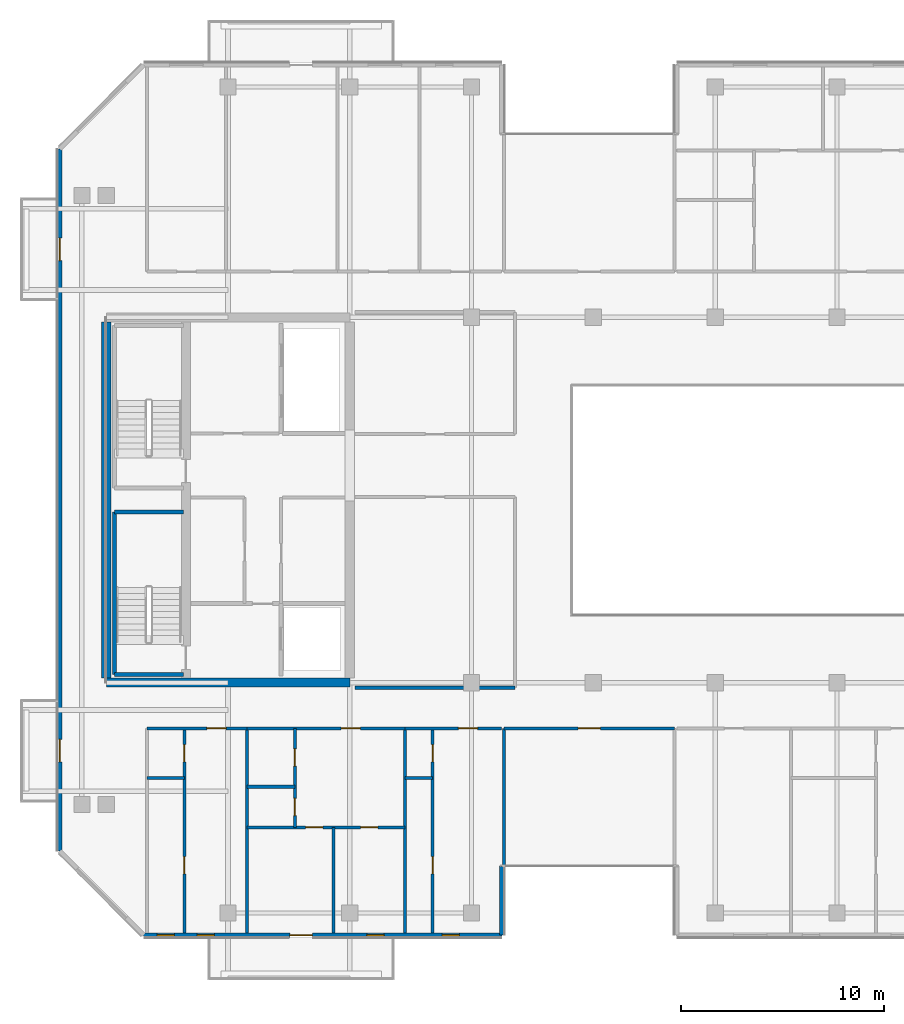
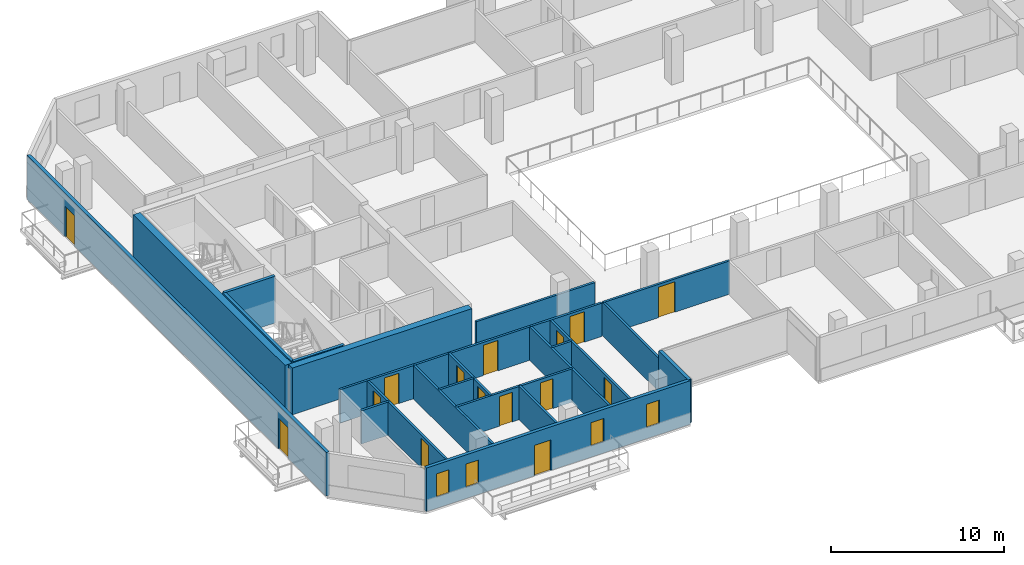
# One storey, part 10 of 20: 24 walls, 15 doors, 4 windows, 19 openings.
"""IFC4 building model written with IfcOpenShell, lengths in metres."""

from ifc_helpers import new_model, si_unit, direction, frame, frame_2d, origin, place, context, subcontext, project, spatial, rectangle, extrude, material, layer, layer_set, type_object, element, fill, save


model = new_model("IFC4")

# Units and contexts
model_context = context("Model", 3, precision=1e-05, world=origin(), true_north=direction((0.0, 1.0)))
body_context = subcontext(model_context, "Body", "Model", "MODEL_VIEW")
ifc_project = project(units=[si_unit("LENGTHUNIT", "METRE"), si_unit("AREAUNIT", "SQUARE_METRE"), si_unit("VOLUMEUNIT", "CUBIC_METRE"), si_unit("PLANEANGLEUNIT", "RADIAN"), si_unit("MASSUNIT", "GRAM", prefix="KILO")], contexts=[model_context])

# Site, building, storey
site_placement = place(None, origin())
site = spatial("IfcSite", under=ifc_project, at=site_placement, CompositionType="ELEMENT")
building_placement = place(site_placement, origin())
building = spatial("IfcBuilding", under=site, at=building_placement, Name="Tanjung Sevakor Pilgrim Tower", CompositionType="ELEMENT")
storey_placement = place(building_placement, frame((0.0, 0.0, 201.6298828125)))
storey = spatial("IfcBuildingStorey", under=building, at=storey_placement, Name="L56", CompositionType="ELEMENT", Elevation=201.6298828125)

# Walls
ifc_material_1 = material(Name="Concrete C60/75", Category="concrete")
ifc_layer_1 = layer(ifc_material_1, 0.449951171875)
ifc_layer_set_1 = layer_set([ifc_layer_1], Name="WALL-CW-450")
wall_type_1 = type_object("IfcWallType", Name="WALL-CW-450", PredefinedType="SHEAR", material=ifc_layer_set_1)
wall_1_placement = place(storey_placement, frame((24.0, 24.60009765625, 0.0), z_axis=(0.0, 0.0, 1.0), x_axis=(1.0, 0.0, 0.0)))
element("IfcWall", 1, at=wall_1_placement, inside=storey, type_object=wall_type_1, Name="L56 W Core South Shear Wall", PredefinedType="SHEAR", context=body_context, shape_type="SweptSolid", body=[
    extrude(rectangle(XDim=12.0, YDim=0.449951171875, at=frame_2d((6.0, 0.0))), origin(), (0.0, 0.0, 1.0), 3.300048828125),
])
wall_2_placement = place(storey_placement, frame((24.0, 24.824951171875, 0.0), z_axis=(0.0, 0.0, 1.0), x_axis=(0.0, 1.0, 0.0)))
element("IfcWall", 2, at=wall_2_placement, inside=storey, type_object=wall_type_1, Name="L56 W Core Outer Shear Wall", PredefinedType="SHEAR", context=body_context, shape_type="SweptSolid", body=[
    extrude(rectangle(XDim=17.550048828125, YDim=0.449951171875, at=frame_2d((8.77490234375, 0.0))), origin(), (0.0, 0.0, 1.0), 3.300048828125),
])
ifc_material_2 = material(Name="Concrete C40/50", Category="concrete")
ifc_layer_2 = layer(ifc_material_2, 0.14990234375)
ifc_layer_set_2 = layer_set([ifc_layer_2], Name="WT-COMP-150")
wall_type_2 = type_object("IfcWallType", Name="WT-COMP-150", PredefinedType="SOLIDWALL", material=ifc_layer_set_2)
wall_3_placement = place(storey_placement, frame((36.2451171875, 24.35009765625, 0.0), z_axis=(0.0, 0.0, 1.0), x_axis=(1.0, 0.0, 0.0)))
element("IfcWall", 3, at=wall_3_placement, inside=storey, type_object=wall_type_2, Name="L56 Partition IW-L56-019", PredefinedType="SOLIDWALL", context=body_context, shape_type="SweptSolid", body=[
    extrude(rectangle(XDim=7.90478515625, YDim=0.14990234375, at=frame_2d((3.952392578125, 0.0))), origin(), (0.0, 0.0, 1.0), 2.35009765625),
])

# Wall, opening, door
wall_4_placement = place(storey_placement, frame((43.60009765625, 22.35009765625, 0.0), z_axis=(0.0, 0.0, 1.0), x_axis=(1.0, 0.0, 0.0)))
wall_4 = element("IfcWall", 4, at=wall_4_placement, inside=storey, type_object=wall_type_2, Name="L56 Partition IW-L56-031", PredefinedType="SOLIDWALL", context=body_context, shape_type="SweptSolid", body=[
    extrude(rectangle(XDim=8.39990234375, YDim=0.14990234375, at=frame_2d((4.199951171875, 0.0))), origin(), (0.0, 0.0, 1.0), 2.35009765625),
])
opening_1_placement = place(wall_4_placement, frame((3.64990234375, 0.0, 0.0)))
opening_1 = element("IfcOpeningElement", 5, at=opening_1_placement, cuts=wall_4, Name="Opening ID-RM2", PredefinedType="OPENING", context=body_context, shape_type="SweptSolid", body=[
    extrude(rectangle(XDim=1.10009765625, YDim=2.14990234375, at=frame_2d((0.550048828125, 1.074951171875))), frame((0.0, 0.0849609375, 0.0), z_axis=(0.0, -1.0, 0.0), x_axis=(1.0, 0.0, 0.0)), (0.0, 0.0, 1.0), 0.169921875),
])
ifc_material_3 = material(Name="Hardwood Timber", Category="wood")
door_type_1 = type_object("IfcDoorType", Name="DT-INT-1100", OperationType="NOTDEFINED", PredefinedType="DOOR", material=ifc_material_3)
door_1_placement = place(opening_1_placement, origin())
door_1 = element("IfcDoor", 6, at=door_1_placement, inside=storey, type_object=door_type_1, Name="L56 South Cleft Communal Lounge Door", OperationType="SINGLE_SWING_LEFT", OverallHeight=2.14990234375, OverallWidth=1.10009765625, PredefinedType="DOOR", context=body_context, shape_type="SweptSolid", body=[
    extrude(rectangle(XDim=1.10009765625, YDim=2.14990234375, at=frame_2d((0.550048828125, 1.074951171875))), frame((0.0, 0.02490234375, 0.0), z_axis=(0.0, -1.0, 0.0), x_axis=(1.0, 0.0, 0.0)), (0.0, 0.0, 1.0), 0.050048828125),
])
fill(opening_1, door_1)

# Walls
for number, where, z_axis, x_axis, name in (
    (7, (43.60009765625, 12.27001953125, 0.0), (0.0, 0.0, 1.0), (0.0, 1.0, 0.0), "L56 Partition IW-L56-032"),
    (8, (30.94384765625, 12.27001953125, 0.0), (0.0, 0.0, 1.0), (0.0, 1.0, 0.0), "L56 Partition IW-L56-038"),
):
    element("IfcWall", number, at=place(storey_placement, frame(where, z_axis=z_axis, x_axis=x_axis)), inside=storey, type_object=wall_type_2, Name=name, PredefinedType="SOLIDWALL", context=body_context, shape_type="SweptSolid", body=[
        extrude(rectangle(XDim=10.080078125, YDim=0.14990234375, at=frame_2d((5.0400390625, 0.0))), origin(), (0.0, 0.0, 1.0), 2.35009765625),
    ])

# Wall, opening, door
wall_5_placement = place(storey_placement, frame((26.0, 22.35009765625, 0.0), z_axis=(0.0, 0.0, 1.0), x_axis=(1.0, 0.0, 0.0)))
wall_5 = element("IfcWall", 9, at=wall_5_placement, inside=storey, type_object=wall_type_2, Name="L56 Partition IW-L56-041", PredefinedType="SOLIDWALL", context=body_context, shape_type="SweptSolid", body=[
    extrude(rectangle(XDim=4.94384765625, YDim=0.14990234375, at=frame_2d((2.471923828125, 0.0))), origin(), (0.0, 0.0, 1.0), 2.35009765625),
])
opening_2_placement = place(wall_5_placement, frame((2.9619140625, 0.0, 0.0)))
opening_2 = element("IfcOpeningElement", 10, at=opening_2_placement, cuts=wall_5, Name="Opening ID-FD2", PredefinedType="OPENING", context=body_context, shape_type="SweptSolid", body=[
    extrude(rectangle(XDim=0.949951171875, YDim=2.14990234375, at=frame_2d((0.47509765625, 1.074951171875))), frame((0.0, 0.0849609375, 0.0), z_axis=(0.0, -1.0, 0.0), x_axis=(1.0, 0.0, 0.0)), (0.0, 0.0, 1.0), 0.169921875),
])
ifc_material_4 = material(Name="Fire-Rated Timber", Category="wood")
door_type_2 = type_object("IfcDoorType", Name="DT-FIRE-950", OperationType="NOTDEFINED", PredefinedType="DOOR", material=ifc_material_4)
door_2_placement = place(opening_2_placement, origin())
door_2 = element("IfcDoor", 11, at=door_2_placement, inside=storey, type_object=door_type_2, Name="Hostel Quad Entrance", OperationType="SINGLE_SWING_LEFT", OverallHeight=2.14990234375, OverallWidth=0.949951171875, PredefinedType="DOOR", context=body_context, shape_type="SweptSolid", body=[
    extrude(rectangle(XDim=0.949951171875, YDim=2.14990234375, at=frame_2d((0.47509765625, 1.074951171875))), frame((0.0, 0.02490234375, 0.0), z_axis=(0.0, -1.0, 0.0), x_axis=(1.0, 0.0, 0.0)), (0.0, 0.0, 1.0), 0.050048828125),
])
fill(opening_2, door_2)

# Wall
wall_6_placement = place(storey_placement, frame((38.712646484375, 12.27001953125, 0.0), z_axis=(0.0, 0.0, 1.0), x_axis=(0.0, 1.0, 0.0)))
element("IfcWall", 12, at=wall_6_placement, inside=storey, type_object=wall_type_2, Name="L56 Partition IW-L56-042", PredefinedType="SOLIDWALL", context=body_context, shape_type="SweptSolid", body=[
    extrude(rectangle(XDim=10.080078125, YDim=0.14990234375, at=frame_2d((5.0400390625, 0.0))), origin(), (0.0, 0.0, 1.0), 2.35009765625),
])

# Wall, opening, door
wall_7_placement = place(storey_placement, frame((30.94384765625, 22.35009765625, 0.0), z_axis=(0.0, 0.0, 1.0), x_axis=(1.0, 0.0, 0.0)))
wall_7 = element("IfcWall", 13, at=wall_7_placement, inside=storey, type_object=wall_type_2, Name="L56 Partition IW-L56-047", PredefinedType="SOLIDWALL", context=body_context, shape_type="SweptSolid", body=[
    extrude(rectangle(XDim=7.768798828125, YDim=0.14990234375, at=frame_2d((3.88427734375, 0.0))), origin(), (0.0, 0.0, 1.0), 2.35009765625),
])
opening_3_placement = place(wall_7_placement, frame((4.62451171875, 0.0, 0.0)))
opening_3 = element("IfcOpeningElement", 14, at=opening_3_placement, cuts=wall_7, Name="Opening ID-FD2", PredefinedType="OPENING", context=body_context, shape_type="SweptSolid", body=[
    extrude(rectangle(XDim=0.949951171875, YDim=2.14990234375, at=frame_2d((0.47509765625, 1.074951171875))), frame((0.0, 0.0849609375, 0.0), z_axis=(0.0, -1.0, 0.0), x_axis=(1.0, 0.0, 0.0)), (0.0, 0.0, 1.0), 0.169921875),
])
door_3_placement = place(opening_3_placement, origin())
door_3 = element("IfcDoor", 15, at=door_3_placement, inside=storey, type_object=door_type_2, Name="Suite Entrance", OperationType="SINGLE_SWING_RIGHT", OverallHeight=2.14990234375, OverallWidth=0.949951171875, PredefinedType="DOOR", context=body_context, shape_type="SweptSolid", body=[
    extrude(rectangle(XDim=0.949951171875, YDim=2.14990234375, at=frame_2d((0.47509765625, 1.074951171875))), frame((0.0, 0.02490234375, 0.0), z_axis=(0.0, -1.0, 0.0), x_axis=(1.0, 0.0, 0.0)), (0.0, 0.0, 1.0), 0.050048828125),
])
fill(opening_3, door_3)

wall_8_placement = place(storey_placement, frame((38.712646484375, 22.35009765625, 0.0), z_axis=(0.0, 0.0, 1.0), x_axis=(1.0, 0.0, 0.0)))
wall_8 = element("IfcWall", 16, at=wall_8_placement, inside=storey, type_object=wall_type_2, Name="L56 Partition IW-L56-050", PredefinedType="SOLIDWALL", context=body_context, shape_type="SweptSolid", body=[
    extrude(rectangle(XDim=4.767333984375, YDim=0.14990234375, at=frame_2d((2.3837890625, 0.0))), origin(), (0.0, 0.0, 1.0), 2.35009765625),
])
opening_4_placement = place(wall_8_placement, frame((2.63232421875, 0.0, 0.0)))
opening_4 = element("IfcOpeningElement", 17, at=opening_4_placement, cuts=wall_8, Name="Opening ID-FD2", PredefinedType="OPENING", context=body_context, shape_type="SweptSolid", body=[
    extrude(rectangle(XDim=0.949951171875, YDim=2.14990234375, at=frame_2d((0.47509765625, 1.074951171875))), frame((0.0, 0.0849609375, 0.0), z_axis=(0.0, -1.0, 0.0), x_axis=(1.0, 0.0, 0.0)), (0.0, 0.0, 1.0), 0.169921875),
])
door_4_placement = place(opening_4_placement, origin())
door_4 = element("IfcDoor", 18, at=door_4_placement, inside=storey, type_object=door_type_2, Name="Hotel Guestroom Entrance", OperationType="SINGLE_SWING_LEFT", OverallHeight=2.14990234375, OverallWidth=0.949951171875, PredefinedType="DOOR", context=body_context, shape_type="SweptSolid", body=[
    extrude(rectangle(XDim=0.949951171875, YDim=2.14990234375, at=frame_2d((0.47509765625, 1.074951171875))), frame((0.0, 0.02490234375, 0.0), z_axis=(0.0, -1.0, 0.0), x_axis=(1.0, 0.0, 0.0)), (0.0, 0.0, 1.0), 0.050048828125),
])
fill(opening_4, door_4)

# Wall, openings, door, windows
ifc_material_5 = material(Name="Precast concrete C45/55", Category="concrete")
ifc_layer_3 = layer(ifc_material_5, 0.219970703125)
ifc_layer_set_3 = layer_set([ifc_layer_3], Name="WT-EW-STN4")
wall_type_3 = type_object("IfcWallType", Name="WT-EW-STN4", PredefinedType="SOLIDWALL", material=ifc_layer_set_3)
wall_9_placement = place(storey_placement, frame((25.845703125, 12.159912109375, 0.0), z_axis=(0.0, 0.0, 1.0), x_axis=(1.0, 0.0, 0.0)))
wall_9 = element("IfcWall", 19, at=wall_9_placement, inside=storey, type_object=wall_type_3, Name="L56 MAIN Exterior Wall 1", PredefinedType="SOLIDWALL", context=body_context, shape_type="SweptSolid", body=[
    extrude(rectangle(XDim=17.644287109375, YDim=0.219970703125, at=frame_2d((8.822265625, 0.0))), origin(), (0.0, 0.0, 1.0), 3.080078125),
])
opening_5_placement = place(wall_9_placement, frame((7.204345703125, 0.0, 0.0)))
opening_5 = element("IfcOpeningElement", 20, at=opening_5_placement, cuts=wall_9, Name="Opening ED-BAL-1100", PredefinedType="OPENING", context=body_context, shape_type="SweptSolid", body=[
    extrude(rectangle(XDim=1.10009765625, YDim=2.14990234375, at=frame_2d((0.550048828125, 1.074951171875))), frame((0.0, 0.119873046875, 0.0), z_axis=(0.0, -1.0, 0.0), x_axis=(1.0, 0.0, 0.0)), (0.0, 0.0, 1.0), 0.239990234375),
])
opening_6_placement = place(wall_9_placement, frame((0.664306640625, 0.0, 0.780029296875)))
opening_6 = element("IfcOpeningElement", 21, at=opening_6_placement, cuts=wall_9, Name="Opening WN-SLM", PredefinedType="OPENING", context=body_context, shape_type="SweptSolid", body=[
    extrude(rectangle(XDim=0.85009765625, YDim=1.64990234375, at=frame_2d((0.425048828125, 0.824951171875))), frame((0.0, 0.119873046875, 0.0), z_axis=(0.0, -1.0, 0.0), x_axis=(1.0, 0.0, 0.0)), (0.0, 0.0, 1.0), 0.239990234375),
])
opening_7_placement = place(wall_9_placement, frame((2.63623046875, 0.0, 0.780029296875)))
opening_7 = element("IfcOpeningElement", 22, at=opening_7_placement, cuts=wall_9, Name="Opening WN-SLM", PredefinedType="OPENING", context=body_context, shape_type="SweptSolid", body=[
    extrude(rectangle(XDim=0.85009765625, YDim=1.64990234375, at=frame_2d((0.425048828125, 0.824951171875))), frame((0.0, 0.119873046875, 0.0), z_axis=(0.0, -1.0, 0.0), x_axis=(1.0, 0.0, 0.0)), (0.0, 0.0, 1.0), 0.239990234375),
])
opening_8_placement = place(wall_9_placement, frame((10.99267578125, 0.0, 0.780029296875)))
opening_8 = element("IfcOpeningElement", 23, at=opening_8_placement, cuts=wall_9, Name="Opening WN-SLM", PredefinedType="OPENING", context=body_context, shape_type="SweptSolid", body=[
    extrude(rectangle(XDim=0.85009765625, YDim=1.64990234375, at=frame_2d((0.425048828125, 0.824951171875))), frame((0.0, 0.119873046875, 0.0), z_axis=(0.0, -1.0, 0.0), x_axis=(1.0, 0.0, 0.0)), (0.0, 0.0, 1.0), 0.239990234375),
])
opening_9_placement = place(wall_9_placement, frame((14.699462890625, 0.0, 0.780029296875)))
opening_9 = element("IfcOpeningElement", 24, at=opening_9_placement, cuts=wall_9, Name="Opening WN-SLM", PredefinedType="OPENING", context=body_context, shape_type="SweptSolid", body=[
    extrude(rectangle(XDim=0.85009765625, YDim=1.64990234375, at=frame_2d((0.425048828125, 0.824951171875))), frame((0.0, 0.119873046875, 0.0), z_axis=(0.0, -1.0, 0.0), x_axis=(1.0, 0.0, 0.0)), (0.0, 0.0, 1.0), 0.239990234375),
])
ifc_material_6 = material(Name="Anodised Aluminium and Laminated Glass", Category="aluminium")
door_type_3 = type_object("IfcDoorType", Name="DTYP-ED-BAL-1100", OperationType="NOTDEFINED", PredefinedType="DOOR", material=ifc_material_6)
door_5_placement = place(opening_5_placement, frame((1.10009765625, 0.0, 0.0), z_axis=(0.0, 0.0, 1.0), x_axis=(-1.0, 0.0, 0.0)))
door_5 = element("IfcDoor", 25, at=door_5_placement, inside=storey, type_object=door_type_3, Name="L56 Balcony Door MAIN-S1", OperationType="SINGLE_SWING_LEFT", OverallHeight=2.14990234375, OverallWidth=1.10009765625, PredefinedType="DOOR", context=body_context, shape_type="SweptSolid", body=[
    extrude(rectangle(XDim=1.10009765625, YDim=2.14990234375, at=frame_2d((0.550048828125, 1.074951171875))), frame((0.0, 0.02490234375, 0.0), z_axis=(0.0, -1.0, 0.0), x_axis=(1.0, 0.0, 0.0)), (0.0, 0.0, 1.0), 0.050048828125),
])
fill(opening_5, door_5)
ifc_material_7 = material(Name="Thermally Broken Aluminium and Low-E Glass", Category="aluminium")
window_type = type_object("IfcWindowType", Name="WTYP-WN-SLM", PartitioningType="SINGLE_PANEL", PredefinedType="WINDOW", material=ifc_material_7)
window_1_placement = place(opening_6_placement, origin())
window_1 = element("IfcWindow", 26, at=window_1_placement, inside=storey, type_object=window_type, Name="L56 Facade Window 01", OverallHeight=1.64990234375, OverallWidth=0.85009765625, PartitioningType="SINGLE_PANEL", PredefinedType="WINDOW", context=body_context, shape_type="SweptSolid", body=[
    extrude(rectangle(XDim=0.85009765625, YDim=1.64990234375, at=frame_2d((0.425048828125, 0.824951171875))), frame((0.0, 0.030029296875, 0.0), z_axis=(0.0, -1.0, 0.0), x_axis=(1.0, 0.0, 0.0)), (0.0, 0.0, 1.0), 0.06005859375),
])
fill(opening_6, window_1)
window_2_placement = place(opening_7_placement, origin())
window_2 = element("IfcWindow", 27, at=window_2_placement, inside=storey, type_object=window_type, Name="L56 Facade Window 02", OverallHeight=1.64990234375, OverallWidth=0.85009765625, PartitioningType="SINGLE_PANEL", PredefinedType="WINDOW", context=body_context, shape_type="SweptSolid", body=[
    extrude(rectangle(XDim=0.85009765625, YDim=1.64990234375, at=frame_2d((0.425048828125, 0.824951171875))), frame((0.0, 0.030029296875, 0.0), z_axis=(0.0, -1.0, 0.0), x_axis=(1.0, 0.0, 0.0)), (0.0, 0.0, 1.0), 0.06005859375),
])
fill(opening_7, window_2)
window_3_placement = place(opening_8_placement, origin())
window_3 = element("IfcWindow", 28, at=window_3_placement, inside=storey, type_object=window_type, Name="L56 Facade Window 03", OverallHeight=1.64990234375, OverallWidth=0.85009765625, PartitioningType="SINGLE_PANEL", PredefinedType="WINDOW", context=body_context, shape_type="SweptSolid", body=[
    extrude(rectangle(XDim=0.85009765625, YDim=1.64990234375, at=frame_2d((0.425048828125, 0.824951171875))), frame((0.0, 0.030029296875, 0.0), z_axis=(0.0, -1.0, 0.0), x_axis=(1.0, 0.0, 0.0)), (0.0, 0.0, 1.0), 0.06005859375),
])
fill(opening_8, window_3)
window_4_placement = place(opening_9_placement, origin())
window_4 = element("IfcWindow", 29, at=window_4_placement, inside=storey, type_object=window_type, Name="L56 Facade Window 04", OverallHeight=1.64990234375, OverallWidth=0.85009765625, PartitioningType="SINGLE_PANEL", PredefinedType="WINDOW", context=body_context, shape_type="SweptSolid", body=[
    extrude(rectangle(XDim=0.85009765625, YDim=1.64990234375, at=frame_2d((0.425048828125, 0.824951171875))), frame((0.0, 0.030029296875, 0.0), z_axis=(0.0, -1.0, 0.0), x_axis=(1.0, 0.0, 0.0)), (0.0, 0.0, 1.0), 0.06005859375),
])
fill(opening_9, window_4)

# Wall
wall_10_placement = place(storey_placement, frame((43.489990234375, 12.159912109375, 0.0), z_axis=(0.0, 0.0, 1.0), x_axis=(0.0, 1.0, 0.0)))
element("IfcWall", 30, at=wall_10_placement, inside=storey, type_object=wall_type_3, Name="L56 MAIN Exterior Wall 2", PredefinedType="SOLIDWALL", context=body_context, shape_type="SweptSolid", body=[
    extrude(rectangle(XDim=3.400146484375, YDim=0.219970703125, at=frame_2d((1.7001953125, 0.0))), origin(), (0.0, 0.0, 1.0), 3.080078125),
])

# Wall, openings, doors
wall_11_placement = place(storey_placement, frame((21.7099609375, 50.904296875, 0.0), z_axis=(0.0, 0.0, 1.0), x_axis=(0.0, -1.0, 0.0)))
wall_11 = element("IfcWall", 31, at=wall_11_placement, inside=storey, type_object=wall_type_3, Name="L56 MAIN Exterior Wall 15", PredefinedType="SOLIDWALL", context=body_context, shape_type="SweptSolid", body=[
    extrude(rectangle(XDim=34.608642578125, YDim=0.219970703125, at=frame_2d((17.30419921875, 0.0))), origin(), (0.0, 0.0, 1.0), 3.080078125),
])
opening_10_placement = place(wall_11_placement, frame((29.1044921875, 0.0, 0.0)))
opening_10 = element("IfcOpeningElement", 32, at=opening_10_placement, cuts=wall_11, Name="Opening ED-BAL-1100", PredefinedType="OPENING", context=body_context, shape_type="SweptSolid", body=[
    extrude(rectangle(XDim=1.10009765625, YDim=2.14990234375, at=frame_2d((0.550048828125, 1.074951171875))), frame((0.0, 0.119873046875, 0.0), z_axis=(0.0, -1.0, 0.0), x_axis=(1.0, 0.0, 0.0)), (0.0, 0.0, 1.0), 0.239990234375),
])
opening_11_placement = place(wall_11_placement, frame((4.404296875, 0.0, 0.0)))
opening_11 = element("IfcOpeningElement", 33, at=opening_11_placement, cuts=wall_11, Name="Opening ED-BAL-1100", PredefinedType="OPENING", context=body_context, shape_type="SweptSolid", body=[
    extrude(rectangle(XDim=1.10009765625, YDim=2.14990234375, at=frame_2d((0.550048828125, 1.074951171875))), frame((0.0, 0.119873046875, 0.0), z_axis=(0.0, -1.0, 0.0), x_axis=(1.0, 0.0, 0.0)), (0.0, 0.0, 1.0), 0.239990234375),
])
door_6_placement = place(opening_10_placement, frame((1.10009765625, 0.0, 0.0), z_axis=(0.0, 0.0, 1.0), x_axis=(-1.0, 0.0, 0.0)))
door_6 = element("IfcDoor", 34, at=door_6_placement, inside=storey, type_object=door_type_3, Name="L56 West Loggia Door MAIN-W1", OperationType="SINGLE_SWING_LEFT", OverallHeight=2.14990234375, OverallWidth=1.10009765625, PredefinedType="DOOR", context=body_context, shape_type="SweptSolid", body=[
    extrude(rectangle(XDim=1.10009765625, YDim=2.14990234375, at=frame_2d((0.550048828125, 1.074951171875))), frame((0.0, 0.02490234375, 0.0), z_axis=(0.0, -1.0, 0.0), x_axis=(1.0, 0.0, 0.0)), (0.0, 0.0, 1.0), 0.050048828125),
])
fill(opening_10, door_6)
door_7_placement = place(opening_11_placement, frame((1.10009765625, 0.0, 0.0), z_axis=(0.0, 0.0, 1.0), x_axis=(-1.0, 0.0, 0.0)))
door_7 = element("IfcDoor", 35, at=door_7_placement, inside=storey, type_object=door_type_3, Name="L56 West Loggia Door MAIN-W2", OperationType="SINGLE_SWING_RIGHT", OverallHeight=2.14990234375, OverallWidth=1.10009765625, PredefinedType="DOOR", context=body_context, shape_type="SweptSolid", body=[
    extrude(rectangle(XDim=1.10009765625, YDim=2.14990234375, at=frame_2d((0.550048828125, 1.074951171875))), frame((0.0, 0.02490234375, 0.0), z_axis=(0.0, -1.0, 0.0), x_axis=(1.0, 0.0, 0.0)), (0.0, 0.0, 1.0), 0.050048828125),
])
fill(opening_11, door_7)

# Walls
ifc_material_8 = material(Name="Concrete C40/50", Category="concrete")
ifc_layer_4 = layer(ifc_material_8, 0.199951171875)
ifc_layer_set_4 = layer_set([ifc_layer_4], Name="WT-FIRE-200")
wall_type_4 = type_object("IfcWallType", Name="WT-FIRE-200", PredefinedType="SOLIDWALL", material=ifc_layer_set_4)
for number, where, z_axis, x_axis, name in (
    (36, (24.39990234375, 25.0, 0.0), (0.0, 0.0, 1.0), (1.0, 0.0, 0.0), "L56 TS-W1 Shaft Wall 1"),
    (37, (27.800048828125, 33.0, 0.0), (0.0, 0.0, 1.0), (-1.0, 0.0, 0.0), "L56 TS-W1 Shaft Wall 2"),
):
    element("IfcWall", number, at=place(storey_placement, frame(where, z_axis=z_axis, x_axis=x_axis)), inside=storey, type_object=wall_type_4, Name=name, PredefinedType="SOLIDWALL", context=body_context, shape_type="SweptSolid", body=[
        extrude(rectangle(XDim=3.400146484375, YDim=0.199951171875, at=frame_2d((1.7001953125, 0.0))), origin(), (0.0, 0.0, 1.0), 3.300048828125),
    ])
wall_12_placement = place(storey_placement, frame((24.39990234375, 33.0, 0.0), z_axis=(0.0, 0.0, 1.0), x_axis=(0.0, -1.0, 0.0)))
element("IfcWall", 38, at=wall_12_placement, inside=storey, type_object=wall_type_4, Name="L56 TS-W1 Shaft Wall 3", PredefinedType="SOLIDWALL", context=body_context, shape_type="SweptSolid", body=[
    extrude(rectangle(XDim=8.0, YDim=0.199951171875, at=frame_2d((4.0, 0.0))), origin(), (0.0, 0.0, 1.0), 3.300048828125),
])
ifc_material_9 = material(Name="Gypsum Board Partition", Category="gypsum board")
ifc_layer_5 = layer(ifc_material_9, 0.14990234375)
ifc_layer_set_5 = layer_set([ifc_layer_5], Name="WT-PART-150")
wall_type_5 = type_object("IfcWallType", Name="WT-PART-150", PredefinedType="PARTITIONING", material=ifc_layer_set_5)
wall_13_placement = place(storey_placement, frame((26.0, 19.89990234375, 0.0), z_axis=(0.0, 0.0, 1.0), x_axis=(1.0, 0.0, 0.0)))
element("IfcWall", 39, at=wall_13_placement, inside=storey, type_object=wall_type_5, Name="L56 Partition IW-L56-039", PredefinedType="PARTITIONING", context=body_context, shape_type="SweptSolid", body=[
    extrude(rectangle(XDim=1.85009765625, YDim=0.14990234375, at=frame_2d((0.925048828125, 0.0))), origin(), (0.0, 0.0, 1.0), 2.35009765625),
])

# Wall, openings, doors
wall_14_placement = place(storey_placement, frame((27.85009765625, 12.27001953125, 0.0), z_axis=(0.0, 0.0, 1.0), x_axis=(0.0, 1.0, 0.0)))
wall_14 = element("IfcWall", 40, at=wall_14_placement, inside=storey, type_object=wall_type_5, Name="L56 Partition IW-L56-040", PredefinedType="PARTITIONING", context=body_context, shape_type="SweptSolid", body=[
    extrude(rectangle(XDim=10.080078125, YDim=0.14990234375, at=frame_2d((5.0400390625, 0.0))), origin(), (0.0, 0.0, 1.0), 2.35009765625),
])
opening_12_placement = place(wall_14_placement, frame((2.912109375, 0.0, 0.0)))
opening_12 = element("IfcOpeningElement", 41, at=opening_12_placement, cuts=wall_14, Name="Opening ID-WC1", PredefinedType="OPENING", context=body_context, shape_type="SweptSolid", body=[
    extrude(rectangle(XDim=0.85009765625, YDim=2.10009765625, at=frame_2d((0.425048828125, 1.050048828125))), frame((0.0, 0.0849609375, 0.0), z_axis=(0.0, -1.0, 0.0), x_axis=(1.0, 0.0, 0.0)), (0.0, 0.0, 1.0), 0.169921875),
])
opening_13_placement = place(wall_14_placement, frame((8.429931640625, 0.0, 0.0)))
opening_13 = element("IfcOpeningElement", 42, at=opening_13_placement, cuts=wall_14, Name="Opening ID-WC1", PredefinedType="OPENING", context=body_context, shape_type="SweptSolid", body=[
    extrude(rectangle(XDim=0.85009765625, YDim=2.10009765625, at=frame_2d((0.425048828125, 1.050048828125))), frame((0.0, 0.0849609375, 0.0), z_axis=(0.0, -1.0, 0.0), x_axis=(1.0, 0.0, 0.0)), (0.0, 0.0, 1.0), 0.169921875),
])
ifc_material_10 = material(Name="Moisture-Resistant Timber", Category="wood")
door_type_4 = type_object("IfcDoorType", Name="DT-INT-850", OperationType="NOTDEFINED", PredefinedType="DOOR", material=ifc_material_10)
door_8_placement = place(opening_12_placement, origin())
door_8 = element("IfcDoor", 43, at=door_8_placement, inside=storey, type_object=door_type_4, Name="Study Nook Door", OperationType="SINGLE_SWING_LEFT", OverallHeight=2.10009765625, OverallWidth=0.85009765625, PredefinedType="DOOR", context=body_context, shape_type="SweptSolid", body=[
    extrude(rectangle(XDim=0.85009765625, YDim=2.10009765625, at=frame_2d((0.425048828125, 1.050048828125))), frame((0.0, 0.02490234375, 0.0), z_axis=(0.0, -1.0, 0.0), x_axis=(1.0, 0.0, 0.0)), (0.0, 0.0, 1.0), 0.050048828125),
])
fill(opening_12, door_8)
door_9_placement = place(opening_13_placement, origin())
door_9 = element("IfcDoor", 44, at=door_9_placement, inside=storey, type_object=door_type_4, Name="Bathroom Door", OperationType="SINGLE_SWING_RIGHT", OverallHeight=2.10009765625, OverallWidth=0.85009765625, PredefinedType="DOOR", context=body_context, shape_type="SweptSolid", body=[
    extrude(rectangle(XDim=0.85009765625, YDim=2.10009765625, at=frame_2d((0.425048828125, 1.050048828125))), frame((0.0, 0.02490234375, 0.0), z_axis=(0.0, -1.0, 0.0), x_axis=(1.0, 0.0, 0.0)), (0.0, 0.0, 1.0), 0.050048828125),
])
fill(opening_13, door_9)

# Wall
wall_15_placement = place(storey_placement, frame((30.94384765625, 19.470703125, 0.0), z_axis=(0.0, 0.0, 1.0), x_axis=(1.0, 0.0, 0.0)))
element("IfcWall", 45, at=wall_15_placement, inside=storey, type_object=wall_type_5, Name="L56 Partition IW-L56-043", PredefinedType="PARTITIONING", context=body_context, shape_type="SweptSolid", body=[
    extrude(rectangle(XDim=2.349853515625, YDim=0.14990234375, at=frame_2d((1.1748046875, 0.0))), origin(), (0.0, 0.0, 1.0), 2.35009765625),
])

# Wall, openings, doors
wall_16_placement = place(storey_placement, frame((33.293701171875, 17.469970703125, 0.0), z_axis=(0.0, 0.0, 1.0), x_axis=(0.0, 1.0, 0.0)))
wall_16 = element("IfcWall", 46, at=wall_16_placement, inside=storey, type_object=wall_type_5, Name="L56 Partition IW-L56-044", PredefinedType="PARTITIONING", context=body_context, shape_type="SweptSolid", body=[
    extrude(rectangle(XDim=4.880126953125, YDim=0.14990234375, at=frame_2d((2.43994140625, 0.0))), origin(), (0.0, 0.0, 1.0), 2.35009765625),
])
opening_14_placement = place(wall_16_placement, frame((0.575439453125, 0.0, 0.0)))
opening_14 = element("IfcOpeningElement", 47, at=opening_14_placement, cuts=wall_16, Name="Opening ID-WC1", PredefinedType="OPENING", context=body_context, shape_type="SweptSolid", body=[
    extrude(rectangle(XDim=0.85009765625, YDim=2.10009765625, at=frame_2d((0.425048828125, 1.050048828125))), frame((0.0, 0.0849609375, 0.0), z_axis=(0.0, -1.0, 0.0), x_axis=(1.0, 0.0, 0.0)), (0.0, 0.0, 1.0), 0.169921875),
])
opening_15_placement = place(wall_16_placement, frame((3.015380859375, 0.0, 0.0)))
opening_15 = element("IfcOpeningElement", 48, at=opening_15_placement, cuts=wall_16, Name="Opening ID-WC1", PredefinedType="OPENING", context=body_context, shape_type="SweptSolid", body=[
    extrude(rectangle(XDim=0.85009765625, YDim=2.10009765625, at=frame_2d((0.425048828125, 1.050048828125))), frame((0.0, 0.0849609375, 0.0), z_axis=(0.0, -1.0, 0.0), x_axis=(1.0, 0.0, 0.0)), (0.0, 0.0, 1.0), 0.169921875),
])
door_10_placement = place(opening_14_placement, origin())
door_10 = element("IfcDoor", 49, at=door_10_placement, inside=storey, type_object=door_type_4, Name="Suite Bathroom Door", OperationType="SINGLE_SWING_RIGHT", OverallHeight=2.10009765625, OverallWidth=0.85009765625, PredefinedType="DOOR", context=body_context, shape_type="SweptSolid", body=[
    extrude(rectangle(XDim=0.85009765625, YDim=2.10009765625, at=frame_2d((0.425048828125, 1.050048828125))), frame((0.0, 0.02490234375, 0.0), z_axis=(0.0, -1.0, 0.0), x_axis=(1.0, 0.0, 0.0)), (0.0, 0.0, 1.0), 0.050048828125),
])
fill(opening_14, door_10)
door_11_placement = place(opening_15_placement, origin())
door_11 = element("IfcDoor", 50, at=door_11_placement, inside=storey, type_object=door_type_4, Name="Suite Kitchenette Door", OperationType="SINGLE_SWING_LEFT", OverallHeight=2.10009765625, OverallWidth=0.85009765625, PredefinedType="DOOR", context=body_context, shape_type="SweptSolid", body=[
    extrude(rectangle(XDim=0.85009765625, YDim=2.10009765625, at=frame_2d((0.425048828125, 1.050048828125))), frame((0.0, 0.02490234375, 0.0), z_axis=(0.0, -1.0, 0.0), x_axis=(1.0, 0.0, 0.0)), (0.0, 0.0, 1.0), 0.050048828125),
])
fill(opening_15, door_11)

# Wall
wall_17_placement = place(storey_placement, frame((35.19384765625, 12.27001953125, 0.0), z_axis=(0.0, 0.0, 1.0), x_axis=(0.0, 1.0, 0.0)))
element("IfcWall", 51, at=wall_17_placement, inside=storey, type_object=wall_type_5, Name="L56 Partition IW-L56-045", PredefinedType="PARTITIONING", context=body_context, shape_type="SweptSolid", body=[
    extrude(rectangle(XDim=5.199951171875, YDim=0.14990234375, at=frame_2d((2.60009765625, 0.0))), origin(), (0.0, 0.0, 1.0), 2.35009765625),
])

# Wall, openings, doors
wall_18_placement = place(storey_placement, frame((30.94384765625, 17.469970703125, 0.0), z_axis=(0.0, 0.0, 1.0), x_axis=(1.0, 0.0, 0.0)))
wall_18 = element("IfcWall", 52, at=wall_18_placement, inside=storey, type_object=wall_type_5, Name="L56 Partition IW-L56-046", PredefinedType="PARTITIONING", context=body_context, shape_type="SweptSolid", body=[
    extrude(rectangle(XDim=7.768798828125, YDim=0.14990234375, at=frame_2d((3.88427734375, 0.0))), origin(), (0.0, 0.0, 1.0), 2.35009765625),
])
opening_16_placement = place(wall_18_placement, frame((2.875, 0.0, 0.0)))
opening_16 = element("IfcOpeningElement", 53, at=opening_16_placement, cuts=wall_18, Name="Opening ID-WC1", PredefinedType="OPENING", context=body_context, shape_type="SweptSolid", body=[
    extrude(rectangle(XDim=0.85009765625, YDim=2.10009765625, at=frame_2d((0.425048828125, 1.050048828125))), frame((0.0, 0.0849609375, 0.0), z_axis=(0.0, -1.0, 0.0), x_axis=(1.0, 0.0, 0.0)), (0.0, 0.0, 1.0), 0.169921875),
])
opening_17_placement = place(wall_18_placement, frame((5.58447265625, 0.0, 0.0)))
opening_17 = element("IfcOpeningElement", 54, at=opening_17_placement, cuts=wall_18, Name="Opening ID-WC1", PredefinedType="OPENING", context=body_context, shape_type="SweptSolid", body=[
    extrude(rectangle(XDim=0.85009765625, YDim=2.10009765625, at=frame_2d((0.425048828125, 1.050048828125))), frame((0.0, 0.0849609375, 0.0), z_axis=(0.0, -1.0, 0.0), x_axis=(1.0, 0.0, 0.0)), (0.0, 0.0, 1.0), 0.169921875),
])
door_12_placement = place(opening_16_placement, origin())
door_12 = element("IfcDoor", 55, at=door_12_placement, inside=storey, type_object=door_type_4, Name="Suite Bedroom 1 Door", OperationType="SINGLE_SWING_RIGHT", OverallHeight=2.10009765625, OverallWidth=0.85009765625, PredefinedType="DOOR", context=body_context, shape_type="SweptSolid", body=[
    extrude(rectangle(XDim=0.85009765625, YDim=2.10009765625, at=frame_2d((0.425048828125, 1.050048828125))), frame((0.0, 0.02490234375, 0.0), z_axis=(0.0, -1.0, 0.0), x_axis=(1.0, 0.0, 0.0)), (0.0, 0.0, 1.0), 0.050048828125),
])
fill(opening_16, door_12)
door_13_placement = place(opening_17_placement, origin())
door_13 = element("IfcDoor", 56, at=door_13_placement, inside=storey, type_object=door_type_4, Name="Suite Bedroom 2 Door", OperationType="SINGLE_SWING_LEFT", OverallHeight=2.10009765625, OverallWidth=0.85009765625, PredefinedType="DOOR", context=body_context, shape_type="SweptSolid", body=[
    extrude(rectangle(XDim=0.85009765625, YDim=2.10009765625, at=frame_2d((0.425048828125, 1.050048828125))), frame((0.0, 0.02490234375, 0.0), z_axis=(0.0, -1.0, 0.0), x_axis=(1.0, 0.0, 0.0)), (0.0, 0.0, 1.0), 0.050048828125),
])
fill(opening_17, door_13)

# Wall
wall_19_placement = place(storey_placement, frame((38.712646484375, 19.89990234375, 0.0), z_axis=(0.0, 0.0, 1.0), x_axis=(1.0, 0.0, 0.0)))
element("IfcWall", 57, at=wall_19_placement, inside=storey, type_object=wall_type_5, Name="L56 Partition IW-L56-048", PredefinedType="PARTITIONING", context=body_context, shape_type="SweptSolid", body=[
    extrude(rectangle(XDim=1.367431640625, YDim=0.14990234375, at=frame_2d((0.68359375, 0.0))), origin(), (0.0, 0.0, 1.0), 2.35009765625),
])

# Wall, openings, doors
wall_20_placement = place(storey_placement, frame((40.080078125, 12.27001953125, 0.0), z_axis=(0.0, 0.0, 1.0), x_axis=(0.0, 1.0, 0.0)))
wall_20 = element("IfcWall", 58, at=wall_20_placement, inside=storey, type_object=wall_type_5, Name="L56 Partition IW-L56-049", PredefinedType="PARTITIONING", context=body_context, shape_type="SweptSolid", body=[
    extrude(rectangle(XDim=10.080078125, YDim=0.14990234375, at=frame_2d((5.0400390625, 0.0))), origin(), (0.0, 0.0, 1.0), 2.35009765625),
])
opening_18_placement = place(wall_20_placement, frame((2.912109375, 0.0, 0.0)))
opening_18 = element("IfcOpeningElement", 59, at=opening_18_placement, cuts=wall_20, Name="Opening ID-WC1", PredefinedType="OPENING", context=body_context, shape_type="SweptSolid", body=[
    extrude(rectangle(XDim=0.85009765625, YDim=2.10009765625, at=frame_2d((0.425048828125, 1.050048828125))), frame((0.0, 0.0849609375, 0.0), z_axis=(0.0, -1.0, 0.0), x_axis=(1.0, 0.0, 0.0)), (0.0, 0.0, 1.0), 0.169921875),
])
opening_19_placement = place(wall_20_placement, frame((8.429931640625, 0.0, 0.0)))
opening_19 = element("IfcOpeningElement", 60, at=opening_19_placement, cuts=wall_20, Name="Opening ID-WC1", PredefinedType="OPENING", context=body_context, shape_type="SweptSolid", body=[
    extrude(rectangle(XDim=0.85009765625, YDim=2.10009765625, at=frame_2d((0.425048828125, 1.050048828125))), frame((0.0, 0.0849609375, 0.0), z_axis=(0.0, -1.0, 0.0), x_axis=(1.0, 0.0, 0.0)), (0.0, 0.0, 1.0), 0.169921875),
])
door_14_placement = place(opening_18_placement, origin())
door_14 = element("IfcDoor", 61, at=door_14_placement, inside=storey, type_object=door_type_4, Name="Study Nook Door", OperationType="SINGLE_SWING_LEFT", OverallHeight=2.10009765625, OverallWidth=0.85009765625, PredefinedType="DOOR", context=body_context, shape_type="SweptSolid", body=[
    extrude(rectangle(XDim=0.85009765625, YDim=2.10009765625, at=frame_2d((0.425048828125, 1.050048828125))), frame((0.0, 0.02490234375, 0.0), z_axis=(0.0, -1.0, 0.0), x_axis=(1.0, 0.0, 0.0)), (0.0, 0.0, 1.0), 0.050048828125),
])
fill(opening_18, door_14)
door_15_placement = place(opening_19_placement, origin())
door_15 = element("IfcDoor", 62, at=door_15_placement, inside=storey, type_object=door_type_4, Name="Bathroom Door", OperationType="SINGLE_SWING_RIGHT", OverallHeight=2.10009765625, OverallWidth=0.85009765625, PredefinedType="DOOR", context=body_context, shape_type="SweptSolid", body=[
    extrude(rectangle(XDim=0.85009765625, YDim=2.10009765625, at=frame_2d((0.425048828125, 1.050048828125))), frame((0.0, 0.02490234375, 0.0), z_axis=(0.0, -1.0, 0.0), x_axis=(1.0, 0.0, 0.0)), (0.0, 0.0, 1.0), 0.050048828125),
])
fill(opening_19, door_15)

save(model, "model.ifc")
